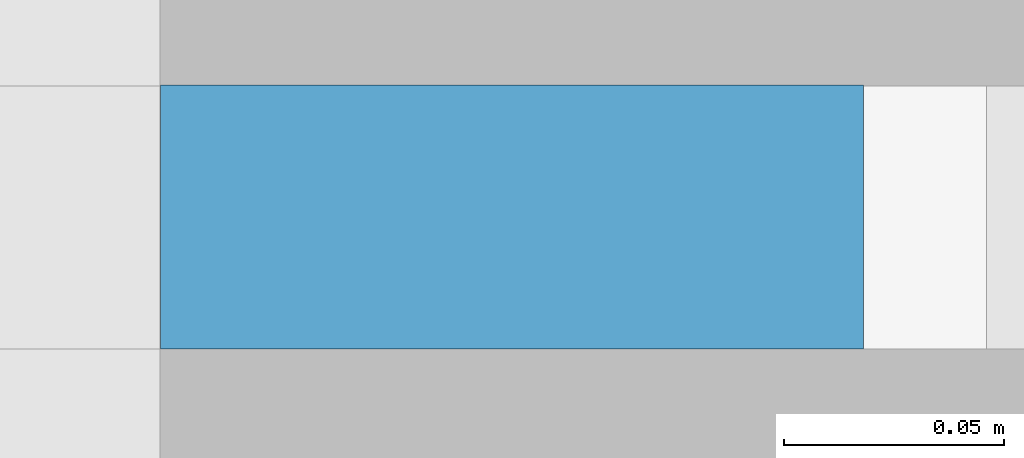
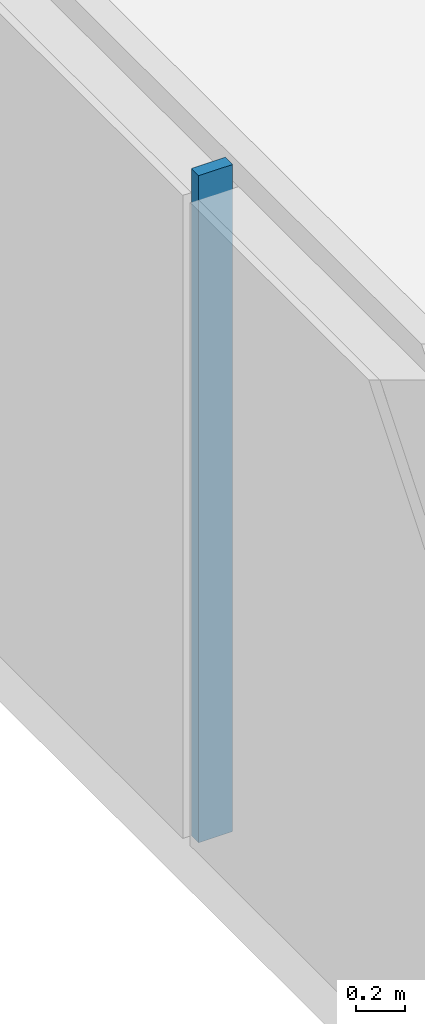
# One storey, part 4 of 30: 1 member, 1 element without a shape of its own.
"""IFC4 building model written with IfcOpenShell, lengths in metres."""

from ifc_helpers import new_model, si_unit, direction, frame, origin, origin_2d, place, context, subcontext, project, spatial, rectangle, extrude, material, material_profile, profile_set, type_object, element, aggregate, save


model = new_model("IFC4")

# Units and contexts
model_context = context("Model", 3, precision=1e-05, world=origin(), true_north=direction((0.0, 1.0)))
body_context = subcontext(model_context, "Body", "Model", "MODEL_VIEW")
ifc_project = project(units=[si_unit("LENGTHUNIT", "METRE"), si_unit("AREAUNIT", "SQUARE_METRE"), si_unit("VOLUMEUNIT", "CUBIC_METRE"), si_unit("PLANEANGLEUNIT", "RADIAN"), si_unit("MASSUNIT", "GRAM", prefix="KILO")], contexts=[model_context])

# Site, building, storey
site_placement = place(None, origin())
site = spatial("IfcSite", under=ifc_project, at=site_placement, CompositionType="ELEMENT")
building_placement = place(site_placement, origin())
building = spatial("IfcBuilding", under=site, at=building_placement, Name="Saffron Gate Tower", CompositionType="ELEMENT")
storey_placement = place(building_placement, frame((0.0, 0.0, 95.25)))
storey = spatial("IfcBuildingStorey", under=building, at=storey_placement, Name="L21", CompositionType="ELEMENT", Elevation=95.25)

# Curtain wall, member
ifc_material = material(Name="Aluminium, bronze anodised", Category="aluminium")
curtain_wall_type = type_object("IfcCurtainWallType", Name="CWS2 curtain wall side facades", PredefinedType="NOTDEFINED", material=ifc_material)
curtain_wall_placement = place(storey_placement, origin())
curtain_wall = element("IfcCurtainWall", 1, at=curtain_wall_placement, inside=storey, type_object=curtain_wall_type, Name="CWS2 run 10", PredefinedType="NOTDEFINED")
ifc_material_profile = material_profile(ifc_material, rectangle(XDim=0.159912109375, YDim=0.06005859375, at=origin_2d()))
ifc_profile_set = profile_set([ifc_material_profile], Name="Aluminium, bronze anodised")
member_type = type_object("IfcMemberType", Name="CWS2 mullion 60x160", PredefinedType="MULLION", material=ifc_profile_set)
member_placement = place(storey_placement, frame((48.080078125, 48.60009765625, 0.0), z_axis=(0.0, 0.0, 1.0), x_axis=(1.0, 0.0, 0.0)))
member = element("IfcMember", 2, at=member_placement, type_object=member_type, Name="CWS2 mullion 4", PredefinedType="MULLION", context=body_context, shape_type="SweptSolid", body=[
    extrude(rectangle(XDim=0.159912109375, YDim=0.06005859375, at=origin_2d()), origin(), (0.0, 0.0, 1.0), 3.320068359375),
])
aggregate(curtain_wall, [member])

save(model, "model.ifc")
